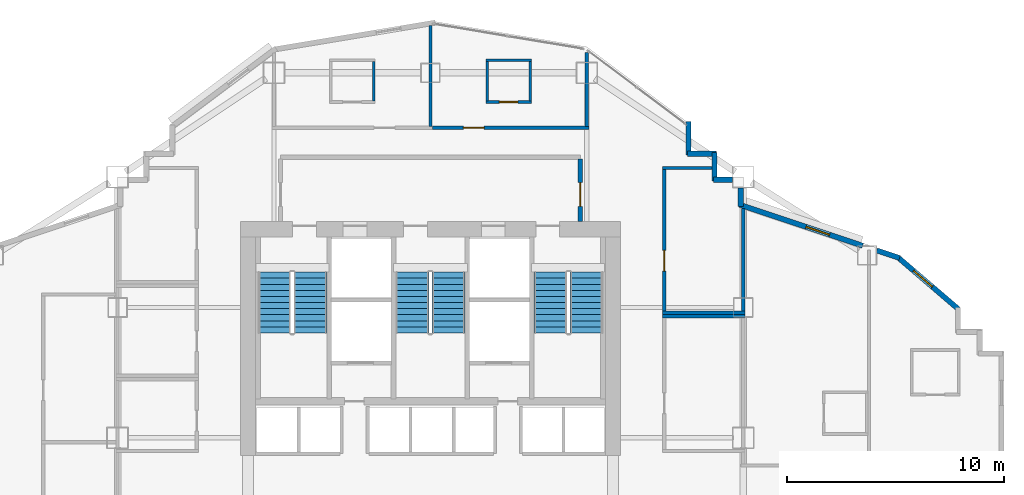
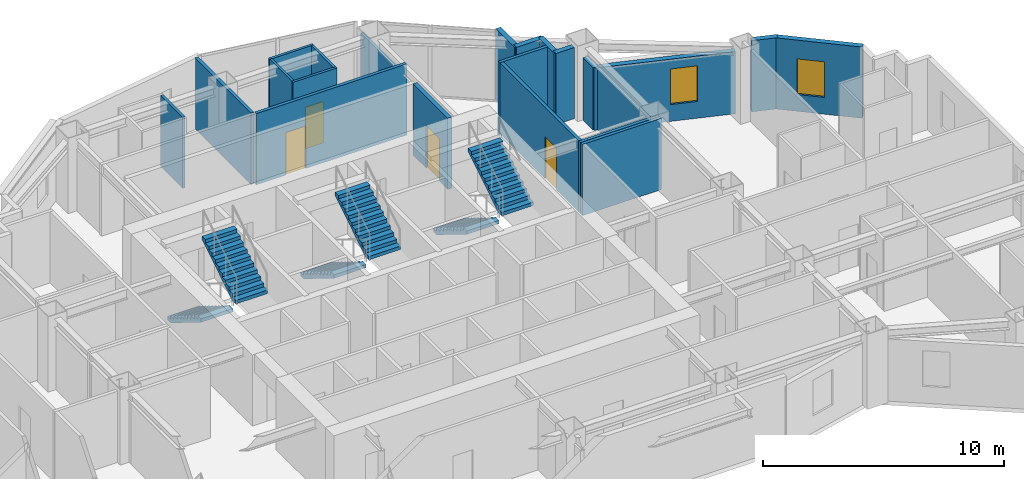
# One storey, part 10 of 13: 22 walls, 6 stair flights, 4 doors, 2 windows, 6 openings, 3 elements without a shape of their own.
"""IFC4 building model written with IfcOpenShell, lengths in metres."""

from ifc_helpers import new_model, si_unit, direction, frame, frame_2d, origin, place, context, subcontext, project, spatial, polyline, rectangle, outline, extrude, material, layer, layer_set, type_object, element, fill, aggregate, save


model = new_model("IFC4")

# Units and contexts
model_context = context("Model", 3, precision=1e-05, world=origin(), true_north=direction((0.0, 1.0)))
body_context = subcontext(model_context, "Body", "Model", "MODEL_VIEW")
ifc_project = project(units=[si_unit("LENGTHUNIT", "METRE"), si_unit("AREAUNIT", "SQUARE_METRE"), si_unit("VOLUMEUNIT", "CUBIC_METRE"), si_unit("PLANEANGLEUNIT", "RADIAN"), si_unit("MASSUNIT", "GRAM", prefix="KILO")], contexts=[model_context])

# Site, building, storey
site_placement = place(None, origin())
site = spatial("IfcSite", under=ifc_project, at=site_placement, CompositionType="ELEMENT")
building_placement = place(site_placement, origin())
building = spatial("IfcBuilding", under=site, at=building_placement, Name="Haolan Belvedere Tower", CompositionType="ELEMENT")
storey_placement = place(building_placement, frame((0.0, 0.0, 102.199951171875)))
storey = spatial("IfcBuildingStorey", under=building, at=storey_placement, Name="L25", CompositionType="ELEMENT", Elevation=102.199951171875)

# Wall, opening, window
ifc_material_1 = material(Name="Precast concrete C40/50", Category="concrete")
ifc_layer_1 = layer(ifc_material_1, 0.239990234375, Name="Precast concrete C40/50")
ifc_layer_set_1 = layer_set([ifc_layer_1], Name="Precast concrete C40/50")
wall_type_1 = type_object("IfcWallType", Name="WL-EXT-240", PredefinedType="SOLIDWALL", material=ifc_layer_set_1)
wall_1_placement = place(storey_placement, frame((62.7216796875, 39.509033203125, 0.0), z_axis=(0.0, 0.0, 1.0), x_axis=(-0.759247334792, 0.650802185469, 0.0)))
wall_1 = element("IfcWall", 1, at=wall_1_placement, inside=storey, type_object=wall_type_1, Name="L25 pale-metal exterior spandrel wall 19.1", PredefinedType="SOLIDWALL", context=body_context, shape_type="SweptSolid", body=[
    extrude(rectangle(XDim=3.71923828125, YDim=0.239990234375, at=frame_2d((1.859619140625, 0.0))), origin(), (0.0, 0.0, 1.0), 3.60009765625),
])
opening_1_placement = place(wall_1_placement, frame((1.60009765625, 0.0, 0.85009765625)))
opening_1 = element("IfcOpeningElement", 2, at=opening_1_placement, cuts=wall_1, Name="Opening W-02", PredefinedType="OPENING", context=body_context, shape_type="SweptSolid", body=[
    extrude(rectangle(XDim=1.14990234375, YDim=1.800048828125, at=frame_2d((0.574951171875, 0.89990234375))), frame((0.0, 0.1298828125, 0.0), z_axis=(0.0, -1.0, 0.0), x_axis=(1.0, 0.0, 0.0)), (0.0, 0.0, 1.0), 0.260009765625),
])
ifc_material_2 = material(Name="Anodised aluminium 6063-T6 and Low-E glass", Category="aluminium")
window_type = type_object("IfcWindowType", Name="WN-DECO-Z2", PartitioningType="SINGLE_PANEL", PredefinedType="WINDOW", material=ifc_material_2)
window_1_placement = place(opening_1_placement, origin())
window_1 = element("IfcWindow", 3, at=window_1_placement, inside=storey, type_object=window_type, Name="L25 Art Deco chevron window 1", OverallHeight=1.800048828125, OverallWidth=1.14990234375, PartitioningType="SINGLE_PANEL", PredefinedType="WINDOW", context=body_context, shape_type="SweptSolid", body=[
    extrude(rectangle(XDim=1.14990234375, YDim=1.800048828125, at=frame_2d((0.574951171875, 0.89990234375))), frame((0.0, 0.030029296875, 0.0), z_axis=(0.0, -1.0, 0.0), x_axis=(1.0, 0.0, 0.0)), (0.0, 0.0, 1.0), 0.06005859375),
])
fill(opening_1, window_1)

# Wall
wall_2_placement = place(storey_placement, frame((59.991943359375, 41.876220703125, 0.0), z_axis=(0.0, 0.0, 1.0), x_axis=(-0.948661238983, 0.316293935527, 0.0)))
element("IfcWall", 4, at=wall_2_placement, inside=storey, type_object=wall_type_1, Name="L25 pale-metal exterior spandrel wall 20.1", PredefinedType="SOLIDWALL", context=body_context, shape_type="SweptSolid", body=[
    extrude(rectangle(XDim=1.10693359375, YDim=0.239990234375, at=frame_2d((0.553466796875, 0.0))), origin(), (0.0, 0.0, 1.0), 3.60009765625),
])

# Wall, opening, window
wall_3_placement = place(storey_placement, frame((58.294677734375, 42.44189453125, 0.0), z_axis=(0.0, 0.0, 1.0), x_axis=(-0.948687385027, 0.316215504823, 0.0)))
wall_3 = element("IfcWall", 5, at=wall_3_placement, inside=storey, type_object=wall_type_1, Name="L25 pale-metal exterior spandrel wall 20.2", PredefinedType="SOLIDWALL", context=body_context, shape_type="SweptSolid", body=[
    extrude(rectangle(XDim=5.973388671875, YDim=0.239990234375, at=frame_2d((2.98681640625, 0.0))), origin(), (0.0, 0.0, 1.0), 3.14501953125),
])
opening_2_placement = place(wall_3_placement, frame((1.60009765625, 0.0, 0.85009765625)))
opening_2 = element("IfcOpeningElement", 6, at=opening_2_placement, cuts=wall_3, Name="Opening W-02", PredefinedType="OPENING", context=body_context, shape_type="SweptSolid", body=[
    extrude(rectangle(XDim=1.14990234375, YDim=1.800048828125, at=frame_2d((0.574951171875, 0.89990234375))), frame((0.0, 0.1298828125, 0.0), z_axis=(0.0, -1.0, 0.0), x_axis=(1.0, 0.0, 0.0)), (0.0, 0.0, 1.0), 0.260009765625),
])
window_2_placement = place(opening_2_placement, origin())
window_2 = element("IfcWindow", 7, at=window_2_placement, inside=storey, type_object=window_type, Name="L25 Art Deco chevron window 1", OverallHeight=1.800048828125, OverallWidth=1.14990234375, PartitioningType="SINGLE_PANEL", PredefinedType="WINDOW", context=body_context, shape_type="SweptSolid", body=[
    extrude(rectangle(XDim=1.14990234375, YDim=1.800048828125, at=frame_2d((0.574951171875, 0.89990234375))), frame((0.0, 0.030029296875, 0.0), z_axis=(0.0, -1.0, 0.0), x_axis=(1.0, 0.0, 0.0)), (0.0, 0.0, 1.0), 0.06005859375),
])
fill(opening_2, window_2)

# Walls
wall_4_placement = place(storey_placement, frame((52.679931640625, 44.258544921875, 0.0), z_axis=(0.0, 0.0, 1.0), x_axis=(0.0, 1.0, 0.0)))
element("IfcWall", 8, at=wall_4_placement, inside=storey, type_object=wall_type_1, Name="L25 pale-metal exterior spandrel wall 21.1", PredefinedType="SOLIDWALL", context=body_context, shape_type="SweptSolid", body=[
    extrude(rectangle(XDim=0.849365234375, YDim=0.239990234375, at=frame_2d((0.4248046875, 0.0))), origin(), (0.0, 0.0, 1.0), 3.14501953125),
])
wall_5_placement = place(storey_placement, frame((52.30810546875, 45.47998046875, 0.0), z_axis=(0.0, 0.0, 1.0), x_axis=(-1.0, 0.0, 0.0)))
element("IfcWall", 9, at=wall_5_placement, inside=storey, type_object=wall_type_1, Name="L25 pale-metal exterior spandrel wall 22.1", PredefinedType="SOLIDWALL", context=body_context, shape_type="SweptSolid", body=[
    extrude(rectangle(XDim=0.883056640625, YDim=0.239990234375, at=frame_2d((0.44140625, 0.0))), origin(), (0.0, 0.0, 1.0), 3.60009765625),
])
wall_6_placement = place(storey_placement, frame((51.47998046875, 45.425048828125, 0.0), z_axis=(0.0, 0.0, 1.0), x_axis=(0.0, 1.0, 0.0)))
element("IfcWall", 10, at=wall_6_placement, inside=storey, type_object=wall_type_1, Name="L25 pale-metal exterior spandrel wall 23.1", PredefinedType="SOLIDWALL", context=body_context, shape_type="SweptSolid", body=[
    extrude(rectangle(XDim=1.31005859375, YDim=0.239990234375, at=frame_2d((0.655029296875, 0.0))), origin(), (0.0, 0.0, 1.0), 3.60009765625),
])
wall_7_placement = place(storey_placement, frame((51.534912109375, 46.679931640625, 0.0), z_axis=(0.0, 0.0, 1.0), x_axis=(-1.0, 0.0, 0.0)))
element("IfcWall", 11, at=wall_7_placement, inside=storey, type_object=wall_type_1, Name="L25 pale-metal exterior spandrel wall 24.1", PredefinedType="SOLIDWALL", context=body_context, shape_type="SweptSolid", body=[
    extrude(rectangle(XDim=1.309814453125, YDim=0.239990234375, at=frame_2d((0.65478515625, 0.0))), origin(), (0.0, 0.0, 1.0), 3.60009765625),
])
wall_8_placement = place(storey_placement, frame((50.280029296875, 46.625, 0.0), z_axis=(0.0, 0.0, 1.0), x_axis=(0.0, 1.0, 0.0)))
element("IfcWall", 12, at=wall_8_placement, inside=storey, type_object=wall_type_1, Name="L25 pale-metal exterior spandrel wall 25.1", PredefinedType="SOLIDWALL", context=body_context, shape_type="SweptSolid", body=[
    extrude(rectangle(XDim=1.5400390625, YDim=0.239990234375, at=frame_2d((0.77001953125, 0.0))), origin(), (0.0, 0.0, 1.0), 3.60009765625),
])

# Wall, opening, door
ifc_material_3 = material(Name="Concrete C40/50", Category="concrete")
ifc_layer_2 = layer(ifc_material_3, 0.199951171875, Name="Concrete C40/50")
ifc_layer_set_2 = layer_set([ifc_layer_2], Name="Concrete C40/50")
wall_type_2 = type_object("IfcWallType", Name="WL-FIRE-200", PredefinedType="SOLIDWALL", material=ifc_layer_set_2)
wall_9_placement = place(storey_placement, frame((45.300048828125, 43.550048828125, 0.0), z_axis=(0.0, 0.0, 1.0), x_axis=(0.0, 1.0, 0.0)))
wall_9 = element("IfcWall", 13, at=wall_9_placement, inside=storey, type_object=wall_type_2, Name="L25 interior partition IW-L25-FFL-E", PredefinedType="SOLIDWALL", context=body_context, shape_type="SweptSolid", body=[
    extrude(rectangle(XDim=2.885009765625, YDim=0.199951171875, at=frame_2d((1.4423828125, 0.0))), origin(), (0.0, 0.0, 1.0), 3.60009765625),
])
opening_3_placement = place(wall_9_placement, frame((0.699951171875, 0.0, 0.0)))
opening_3 = element("IfcOpeningElement", 14, at=opening_3_placement, cuts=wall_9, Name="Opening FD-03", PredefinedType="OPENING", context=body_context, shape_type="SweptSolid", body=[
    extrude(rectangle(XDim=1.10009765625, YDim=2.14990234375, at=frame_2d((0.550048828125, 1.074951171875))), frame((0.0, 0.10986328125, 0.0), z_axis=(0.0, -1.0, 0.0), x_axis=(1.0, 0.0, 0.0)), (0.0, 0.0, 1.0), 0.219970703125),
])
ifc_material_4 = material(Name="Galvanised fire-rated steel", Category="steel")
door_type_1 = type_object("IfcDoorType", Name="DR-FD90-1100", OperationType="NOTDEFINED", PredefinedType="DOOR", material=ifc_material_4)
door_1_placement = place(opening_3_placement, origin())
door_1 = element("IfcDoor", 15, at=door_1_placement, inside=storey, type_object=door_type_1, Name="L25 door ID-L25-FFL-DE", OperationType="SINGLE_SWING_RIGHT", OverallHeight=2.14990234375, OverallWidth=1.10009765625, PredefinedType="DOOR", context=body_context, shape_type="SweptSolid", body=[
    extrude(rectangle(XDim=1.10009765625, YDim=2.14990234375, at=frame_2d((0.550048828125, 1.074951171875))), frame((0.0, 0.02490234375, 0.0), z_axis=(0.0, -1.0, 0.0), x_axis=(1.0, 0.0, 0.0)), (0.0, 0.0, 1.0), 0.050048828125),
])
fill(opening_3, door_1)

# Walls
ifc_material_5 = material(Name="Double gypsum acoustic stud partition", Category="masonry")
ifc_layer_3 = layer(ifc_material_5, 0.14990234375, Name="Double gypsum acoustic stud partition")
ifc_layer_set_3 = layer_set([ifc_layer_3], Name="Double gypsum acoustic stud partition")
wall_type_3 = type_object("IfcWallType", Name="WL-PART-150", PredefinedType="PARTITIONING", material=ifc_layer_set_3)
wall_10_placement = place(storey_placement, frame((49.080078125, 39.199951171875, 0.0), z_axis=(0.0, 0.0, 1.0), x_axis=(1.0, 0.0, 0.0)))
element("IfcWall", 16, at=wall_10_placement, inside=storey, type_object=wall_type_3, Name="L25 interior partition IW-L25-HSK-N", PredefinedType="PARTITIONING", context=body_context, shape_type="SweptSolid", body=[
    extrude(rectangle(XDim=3.7998046875, YDim=0.14990234375, at=frame_2d((1.89990234375, 0.0))), origin(), (0.0, 0.0, 1.0), 3.60009765625),
])
wall_11_placement = place(storey_placement, frame((49.080078125, 46.02001953125, 0.0), z_axis=(0.0, 0.0, 1.0), x_axis=(1.0, 0.0, 0.0)))
element("IfcWall", 17, at=wall_11_placement, inside=storey, type_object=wall_type_3, Name="L25 interior partition IW-L25-MTG-N", PredefinedType="PARTITIONING", context=body_context, shape_type="SweptSolid", body=[
    extrude(rectangle(XDim=2.294921875, YDim=0.14990234375, at=frame_2d((1.1474609375, 0.0))), origin(), (0.0, 0.0, 1.0), 3.60009765625),
])
wall_12_placement = place(storey_placement, frame((49.080078125, 39.360107421875, 0.0), z_axis=(0.0, 0.0, 1.0), x_axis=(1.0, 0.0, 0.0)))
element("IfcWall", 18, at=wall_12_placement, inside=storey, type_object=wall_type_3, Name="L25 interior partition IW-L25-MTG-S", PredefinedType="PARTITIONING", context=body_context, shape_type="SweptSolid", body=[
    extrude(rectangle(XDim=3.7998046875, YDim=0.14990234375, at=frame_2d((1.89990234375, 0.0))), origin(), (0.0, 0.0, 1.0), 3.60009765625),
])

# Wall, opening, door
wall_13_placement = place(storey_placement, frame((49.159912109375, 39.419921875, 0.0), z_axis=(0.0, 0.0, 1.0), x_axis=(0.0, 1.0, 0.0)))
wall_13 = element("IfcWall", 19, at=wall_13_placement, inside=storey, type_object=wall_type_3, Name="L25 interior partition IW-L25-MTG-W", PredefinedType="PARTITIONING", context=body_context, shape_type="SweptSolid", body=[
    extrude(rectangle(XDim=6.5400390625, YDim=0.14990234375, at=frame_2d((3.27001953125, 0.0))), origin(), (0.0, 0.0, 1.0), 3.60009765625),
])
opening_4_placement = place(wall_13_placement, frame((1.860107421875, 0.0, 0.0)))
opening_4 = element("IfcOpeningElement", 20, at=opening_4_placement, cuts=wall_13, Name="Opening ID-03", PredefinedType="OPENING", context=body_context, shape_type="SweptSolid", body=[
    extrude(rectangle(XDim=0.949951171875, YDim=2.1201171875, at=frame_2d((0.47509765625, 1.06005859375))), frame((0.0, 0.0849609375, 0.0), z_axis=(0.0, -1.0, 0.0), x_axis=(1.0, 0.0, 0.0)), (0.0, 0.0, 1.0), 0.169921875),
])
ifc_material_6 = material(Name="Painted solid-core timber", Category="wood")
door_type_2 = type_object("IfcDoorType", Name="DR-INT-950", OperationType="NOTDEFINED", PredefinedType="DOOR", material=ifc_material_6)
door_2_placement = place(opening_4_placement, origin())
door_2 = element("IfcDoor", 21, at=door_2_placement, inside=storey, type_object=door_type_2, Name="L25 door ID-L25-MTG", OperationType="SINGLE_SWING_LEFT", OverallHeight=2.1201171875, OverallWidth=0.949951171875, PredefinedType="DOOR", context=body_context, shape_type="SweptSolid", body=[
    extrude(rectangle(XDim=0.949951171875, YDim=2.1201171875, at=frame_2d((0.47509765625, 1.06005859375))), frame((0.0, 0.02490234375, 0.0), z_axis=(0.0, -1.0, 0.0), x_axis=(1.0, 0.0, 0.0)), (0.0, 0.0, 1.0), 0.050048828125),
])
fill(opening_4, door_2)

# Walls
wall_14_placement = place(storey_placement, frame((52.800048828125, 39.419921875, 0.0), z_axis=(0.0, 0.0, 1.0), x_axis=(0.0, 1.0, 0.0)))
element("IfcWall", 22, at=wall_14_placement, inside=storey, type_object=wall_type_3, Name="L25 interior partition IW-L25-MTG-E", PredefinedType="PARTITIONING", context=body_context, shape_type="SweptSolid", body=[
    extrude(rectangle(XDim=4.742919921875, YDim=0.14990234375, at=frame_2d((2.37158203125, 0.0))), origin(), (0.0, 0.0, 1.0), 3.14501953125),
])
wall_15_placement = place(storey_placement, frame((38.39990234375, 47.93994140625, 0.0), z_axis=(0.0, 0.0, 1.0), x_axis=(0.0, 1.0, 0.0)))
element("IfcWall", 23, at=wall_15_placement, inside=storey, type_object=wall_type_3, Name="L25 interior partition IW-L25-KN2-E", PredefinedType="PARTITIONING", context=body_context, shape_type="SweptSolid", body=[
    extrude(rectangle(XDim=4.632080078125, YDim=0.14990234375, at=frame_2d((2.31591796875, 0.0))), origin(), (0.0, 0.0, 1.0), 3.60009765625),
])

# Wall, opening, door
wall_16_placement = place(storey_placement, frame((38.501953125, 47.8798828125, 0.0), z_axis=(0.0, 0.0, 1.0), x_axis=(1.0, 0.0, 0.0)))
wall_16 = element("IfcWall", 24, at=wall_16_placement, inside=storey, type_object=wall_type_3, Name="L25 interior partition IW-L25-KN3-S", PredefinedType="PARTITIONING", context=body_context, shape_type="SweptSolid", body=[
    extrude(rectangle(XDim=7.197998046875, YDim=0.14990234375, at=frame_2d((3.59912109375, 0.0))), origin(), (0.0, 0.0, 1.0), 3.60009765625),
])
opening_5_placement = place(wall_16_placement, frame((1.41748046875, 0.0, 0.0)))
opening_5 = element("IfcOpeningElement", 25, at=opening_5_placement, cuts=wall_16, Name="Opening ID-02", PredefinedType="OPENING", context=body_context, shape_type="SweptSolid", body=[
    extrude(rectangle(XDim=0.949951171875, YDim=2.14990234375, at=frame_2d((0.47509765625, 1.074951171875))), frame((0.0, 0.0849609375, 0.0), z_axis=(0.0, -1.0, 0.0), x_axis=(1.0, 0.0, 0.0)), (0.0, 0.0, 1.0), 0.169921875),
])
ifc_material_7 = material(Name="Acoustic oak veneer fire-rated timber", Category="wood")
door_type_3 = type_object("IfcDoorType", Name="DR-GUEST-950", OperationType="NOTDEFINED", PredefinedType="DOOR", material=ifc_material_7)
door_3_placement = place(opening_5_placement, origin())
door_3 = element("IfcDoor", 26, at=door_3_placement, inside=storey, type_object=door_type_3, Name="L25 door ID-L25-KN3-ENT", OperationType="SINGLE_SWING_LEFT", OverallHeight=2.14990234375, OverallWidth=0.949951171875, PredefinedType="DOOR", context=body_context, shape_type="SweptSolid", body=[
    extrude(rectangle(XDim=0.949951171875, YDim=2.14990234375, at=frame_2d((0.47509765625, 1.074951171875))), frame((0.0, 0.02490234375, 0.0), z_axis=(0.0, -1.0, 0.0), x_axis=(1.0, 0.0, 0.0)), (0.0, 0.0, 1.0), 0.050048828125),
])
fill(opening_5, door_3)

# Walls
wall_17_placement = place(storey_placement, frame((45.60009765625, 47.93994140625, 0.0), z_axis=(0.0, 0.0, 1.0), x_axis=(0.0, 1.0, 0.0)))
element("IfcWall", 27, at=wall_17_placement, inside=storey, type_object=wall_type_3, Name="L25 interior partition IW-L25-KN3-E", PredefinedType="PARTITIONING", context=body_context, shape_type="SweptSolid", body=[
    extrude(rectangle(XDim=3.39501953125, YDim=0.14990234375, at=frame_2d((1.697509765625, 0.0))), origin(), (0.0, 0.0, 1.0), 3.0849609375),
])
ifc_material_8 = material(Name="Moisture-resistant gypsum tile partition", Category="masonry")
ifc_layer_4 = layer(ifc_material_8, 0.1201171875, Name="Moisture-resistant gypsum tile partition")
ifc_layer_set_4 = layer_set([ifc_layer_4], Name="Moisture-resistant gypsum tile partition")
wall_type_4 = type_object("IfcWallType", Name="WL-WET-120", PredefinedType="PARTITIONING", material=ifc_layer_set_4)
wall_18_placement = place(storey_placement, frame((35.7900390625, 49.10498046875, 0.0), z_axis=(0.0, 0.0, 1.0), x_axis=(0.0, 1.0, 0.0)))
element("IfcWall", 28, at=wall_18_placement, inside=storey, type_object=wall_type_4, Name="L25 interior partition IW-L25-KN2-BE", PredefinedType="PARTITIONING", context=body_context, shape_type="SweptSolid", body=[
    extrude(rectangle(XDim=1.830078125, YDim=0.1201171875, at=frame_2d((0.9150390625, 0.0))), origin(), (0.0, 0.0, 1.0), 3.60009765625),
])
wall_19_placement = place(storey_placement, frame((40.949951171875, 50.97998046875, 0.0), z_axis=(0.0, 0.0, 1.0), x_axis=(1.0, 0.0, 0.0)))
element("IfcWall", 29, at=wall_19_placement, inside=storey, type_object=wall_type_4, Name="L25 interior partition IW-L25-KN3-BN", PredefinedType="PARTITIONING", context=body_context, shape_type="SweptSolid", body=[
    extrude(rectangle(XDim=2.10009765625, YDim=0.1201171875, at=frame_2d((1.050048828125, 0.0))), origin(), (0.0, 0.0, 1.0), 3.60009765625),
])

# Wall, opening, door
wall_20_placement = place(storey_placement, frame((40.949951171875, 49.06005859375, 0.0), z_axis=(0.0, 0.0, 1.0), x_axis=(1.0, 0.0, 0.0)))
wall_20 = element("IfcWall", 30, at=wall_20_placement, inside=storey, type_object=wall_type_4, Name="L25 interior partition IW-L25-KN3-BS", PredefinedType="PARTITIONING", context=body_context, shape_type="SweptSolid", body=[
    extrude(rectangle(XDim=2.10009765625, YDim=0.1201171875, at=frame_2d((1.050048828125, 0.0))), origin(), (0.0, 0.0, 1.0), 3.60009765625),
])
opening_6_placement = place(wall_20_placement, frame((0.625, 0.0, 0.0)))
opening_6 = element("IfcOpeningElement", 31, at=opening_6_placement, cuts=wall_20, Name="Opening ID-05", PredefinedType="OPENING", context=body_context, shape_type="SweptSolid", body=[
    extrude(rectangle(XDim=0.85009765625, YDim=2.10009765625, at=frame_2d((0.425048828125, 1.050048828125))), frame((0.0, 0.070068359375, 0.0), z_axis=(0.0, -1.0, 0.0), x_axis=(1.0, 0.0, 0.0)), (0.0, 0.0, 1.0), 0.14013671875),
])
ifc_material_9 = material(Name="Moisture-resistant lacquered timber", Category="wood")
door_type_4 = type_object("IfcDoorType", Name="DR-BATH-850", OperationType="NOTDEFINED", PredefinedType="DOOR", material=ifc_material_9)
door_4_placement = place(opening_6_placement, origin())
door_4 = element("IfcDoor", 32, at=door_4_placement, inside=storey, type_object=door_type_4, Name="L25 door ID-L25-KN3-BATH", OperationType="SINGLE_SWING_RIGHT", OverallHeight=2.10009765625, OverallWidth=0.85009765625, PredefinedType="DOOR", context=body_context, shape_type="SweptSolid", body=[
    extrude(rectangle(XDim=0.85009765625, YDim=2.10009765625, at=frame_2d((0.425048828125, 1.050048828125))), frame((0.0, 0.02490234375, 0.0), z_axis=(0.0, -1.0, 0.0), x_axis=(1.0, 0.0, 0.0)), (0.0, 0.0, 1.0), 0.050048828125),
])
fill(opening_6, door_4)

# Walls
for number, where, z_axis, x_axis, name in (
    (33, (41.010009765625, 49.10498046875, 0.0), (0.0, 0.0, 1.0), (0.0, 1.0, 0.0), "L25 interior partition IW-L25-KN3-BW"),
    (34, (42.989990234375, 49.10498046875, 0.0), (0.0, 0.0, 1.0), (0.0, 1.0, 0.0), "L25 interior partition IW-L25-KN3-BE"),
):
    element("IfcWall", number, at=place(storey_placement, frame(where, z_axis=z_axis, x_axis=x_axis)), inside=storey, type_object=wall_type_4, Name=name, PredefinedType="PARTITIONING", context=body_context, shape_type="SweptSolid", body=[
        extrude(rectangle(XDim=1.830078125, YDim=0.1201171875, at=frame_2d((0.9150390625, 0.0))), origin(), (0.0, 0.0, 1.0), 3.60009765625),
    ])

# Stair, stair flights
stair_type = type_object("IfcStairType", Name="STR-DL-22R-173", PredefinedType="HALF_TURN_STAIR", material=ifc_material_3)
stair_1_placement = place(storey_placement, origin())
stair_1 = element("IfcStair", 35, at=stair_1_placement, inside=storey, type_object=stair_type, Name="L25 Smokeproof Core Exit Stair ST1", PredefinedType="HALF_TURN_STAIR")
stair_flight_type = type_object("IfcStairFlightType", Name="SFL-DL-11R-173", PredefinedType="STRAIGHT", material=ifc_material_3)
stair_flight_1_placement = place(storey_placement, frame((31.2099609375, 41.22998046875, 0.0), z_axis=(0.0, 0.0, 1.0), x_axis=(0.0, -1.0, 0.0)))
stair_flight_1 = element("IfcStairFlight", 36, at=stair_flight_1_placement, type_object=stair_flight_type, Name="ST1 flight 1", NumberOfRisers=11, NumberOfTreads=10, PredefinedType="STRAIGHT", RiserHeight=0.172727273, TreadLength=0.28, context=body_context, shape_type="SweptSolid", body=[
    extrude(outline(polyline([(0.0, 0.0), (0.0, 0.172607421875), (0.280029296875, 0.172607421875), (0.280029296875, 0.345458984375), (0.56005859375, 0.345458984375), (0.56005859375, 0.51806640625), (0.840087890625, 0.51806640625), (0.840087890625, 0.69091796875), (1.1201171875, 0.69091796875), (1.1201171875, 0.863525390625), (1.39990234375, 0.863525390625), (1.39990234375, 1.036376953125), (1.679931640625, 1.036376953125), (1.679931640625, 1.208984375), (1.9599609375, 1.208984375), (1.9599609375, 1.3818359375), (2.239990234375, 1.3818359375), (2.239990234375, 1.554443359375), (2.52001953125, 1.554443359375), (2.52001953125, 1.727294921875), (2.800048828125, 1.727294921875), (2.800048828125, 1.89990234375), (2.800048828125, 1.551025390625), (0.285400390625, 0.0), (0.0, 0.0)])), frame((0.0, 0.760009765625, 0.0), z_axis=(0.0, -1.0, 0.0), x_axis=(1.0, 0.0, 0.0)), (0.0, 0.0, 1.0), 1.52001953125),
])
stair_flight_2_placement = place(storey_placement, frame((32.8701171875, 38.429931640625, 1.900146484375), z_axis=(0.0, 0.0, 1.0), x_axis=(0.0, 1.0, 0.0)))
stair_flight_2 = element("IfcStairFlight", 37, at=stair_flight_2_placement, type_object=stair_flight_type, Name="ST1 flight 2", NumberOfRisers=11, NumberOfTreads=10, PredefinedType="STRAIGHT", RiserHeight=0.172727273, TreadLength=0.28, context=body_context, shape_type="SweptSolid", body=[
    extrude(outline(polyline([(0.0, 0.0), (0.0, 0.172607421875), (0.280029296875, 0.172607421875), (0.280029296875, 0.345458984375), (0.56005859375, 0.345458984375), (0.56005859375, 0.51806640625), (0.840087890625, 0.51806640625), (0.840087890625, 0.69091796875), (1.1201171875, 0.69091796875), (1.1201171875, 0.863525390625), (1.39990234375, 0.863525390625), (1.39990234375, 1.036376953125), (1.679931640625, 1.036376953125), (1.679931640625, 1.208984375), (1.9599609375, 1.208984375), (1.9599609375, 1.3818359375), (2.239990234375, 1.3818359375), (2.239990234375, 1.554443359375), (2.52001953125, 1.554443359375), (2.52001953125, 1.727294921875), (2.800048828125, 1.727294921875), (2.800048828125, 1.89990234375), (2.800048828125, 1.551025390625), (0.285400390625, 0.0), (0.0, 0.0)])), frame((0.0, 0.760009765625, 0.0), z_axis=(0.0, -1.0, 0.0), x_axis=(1.0, 0.0, 0.0)), (0.0, 0.0, 1.0), 1.52001953125),
])
aggregate(stair_1, [stair_flight_1, stair_flight_2])

stair_2_placement = place(storey_placement, origin())
stair_2 = element("IfcStair", 38, at=stair_2_placement, inside=storey, type_object=stair_type, Name="L25 Smokeproof Core Exit Stair ST3", PredefinedType="HALF_TURN_STAIR")
stair_flight_3_placement = place(storey_placement, frame((37.570068359375, 41.22998046875, 0.0), z_axis=(0.0, 0.0, 1.0), x_axis=(0.0, -1.0, 0.0)))
stair_flight_3 = element("IfcStairFlight", 39, at=stair_flight_3_placement, type_object=stair_flight_type, Name="ST3 flight 1", NumberOfRisers=11, NumberOfTreads=10, PredefinedType="STRAIGHT", RiserHeight=0.172727273, TreadLength=0.28, context=body_context, shape_type="SweptSolid", body=[
    extrude(outline(polyline([(0.0, 0.0), (0.0, 0.172607421875), (0.280029296875, 0.172607421875), (0.280029296875, 0.345458984375), (0.56005859375, 0.345458984375), (0.56005859375, 0.51806640625), (0.840087890625, 0.51806640625), (0.840087890625, 0.69091796875), (1.1201171875, 0.69091796875), (1.1201171875, 0.863525390625), (1.39990234375, 0.863525390625), (1.39990234375, 1.036376953125), (1.679931640625, 1.036376953125), (1.679931640625, 1.208984375), (1.9599609375, 1.208984375), (1.9599609375, 1.3818359375), (2.239990234375, 1.3818359375), (2.239990234375, 1.554443359375), (2.52001953125, 1.554443359375), (2.52001953125, 1.727294921875), (2.800048828125, 1.727294921875), (2.800048828125, 1.89990234375), (2.800048828125, 1.551025390625), (0.285400390625, 0.0), (0.0, 0.0)])), frame((0.0, 0.760009765625, 0.0), z_axis=(0.0, -1.0, 0.0), x_axis=(1.0, 0.0, 0.0)), (0.0, 0.0, 1.0), 1.52001953125),
])
stair_flight_4_placement = place(storey_placement, frame((39.22998046875, 38.429931640625, 1.900146484375), z_axis=(0.0, 0.0, 1.0), x_axis=(0.0, 1.0, 0.0)))
stair_flight_4 = element("IfcStairFlight", 40, at=stair_flight_4_placement, type_object=stair_flight_type, Name="ST3 flight 2", NumberOfRisers=11, NumberOfTreads=10, PredefinedType="STRAIGHT", RiserHeight=0.172727273, TreadLength=0.28, context=body_context, shape_type="SweptSolid", body=[
    extrude(outline(polyline([(0.0, 0.0), (0.0, 0.172607421875), (0.280029296875, 0.172607421875), (0.280029296875, 0.345458984375), (0.56005859375, 0.345458984375), (0.56005859375, 0.51806640625), (0.840087890625, 0.51806640625), (0.840087890625, 0.69091796875), (1.1201171875, 0.69091796875), (1.1201171875, 0.863525390625), (1.39990234375, 0.863525390625), (1.39990234375, 1.036376953125), (1.679931640625, 1.036376953125), (1.679931640625, 1.208984375), (1.9599609375, 1.208984375), (1.9599609375, 1.3818359375), (2.239990234375, 1.3818359375), (2.239990234375, 1.554443359375), (2.52001953125, 1.554443359375), (2.52001953125, 1.727294921875), (2.800048828125, 1.727294921875), (2.800048828125, 1.89990234375), (2.800048828125, 1.551025390625), (0.285400390625, 0.0), (0.0, 0.0)])), frame((0.0, 0.760009765625, 0.0), z_axis=(0.0, -1.0, 0.0), x_axis=(1.0, 0.0, 0.0)), (0.0, 0.0, 1.0), 1.52001953125),
])
aggregate(stair_2, [stair_flight_3, stair_flight_4])

stair_3_placement = place(storey_placement, origin())
stair_3 = element("IfcStair", 41, at=stair_3_placement, inside=storey, type_object=stair_type, Name="L25 Smokeproof Core Exit Stair ST2", PredefinedType="HALF_TURN_STAIR")
stair_flight_5_placement = place(storey_placement, frame((43.929931640625, 41.22998046875, 0.0), z_axis=(0.0, 0.0, 1.0), x_axis=(0.0, -1.0, 0.0)))
stair_flight_5 = element("IfcStairFlight", 42, at=stair_flight_5_placement, type_object=stair_flight_type, Name="ST2 flight 1", NumberOfRisers=11, NumberOfTreads=10, PredefinedType="STRAIGHT", RiserHeight=0.172727273, TreadLength=0.28, context=body_context, shape_type="SweptSolid", body=[
    extrude(outline(polyline([(0.0, 0.0), (0.0, 0.172607421875), (0.280029296875, 0.172607421875), (0.280029296875, 0.345458984375), (0.56005859375, 0.345458984375), (0.56005859375, 0.51806640625), (0.840087890625, 0.51806640625), (0.840087890625, 0.69091796875), (1.1201171875, 0.69091796875), (1.1201171875, 0.863525390625), (1.39990234375, 0.863525390625), (1.39990234375, 1.036376953125), (1.679931640625, 1.036376953125), (1.679931640625, 1.208984375), (1.9599609375, 1.208984375), (1.9599609375, 1.3818359375), (2.239990234375, 1.3818359375), (2.239990234375, 1.554443359375), (2.52001953125, 1.554443359375), (2.52001953125, 1.727294921875), (2.800048828125, 1.727294921875), (2.800048828125, 1.89990234375), (2.800048828125, 1.551025390625), (0.285400390625, 0.0), (0.0, 0.0)])), frame((0.0, 0.760009765625, 0.0), z_axis=(0.0, -1.0, 0.0), x_axis=(1.0, 0.0, 0.0)), (0.0, 0.0, 1.0), 1.52001953125),
])
stair_flight_6_placement = place(storey_placement, frame((45.590087890625, 38.429931640625, 1.900146484375), z_axis=(0.0, 0.0, 1.0), x_axis=(0.0, 1.0, 0.0)))
stair_flight_6 = element("IfcStairFlight", 43, at=stair_flight_6_placement, type_object=stair_flight_type, Name="ST2 flight 2", NumberOfRisers=11, NumberOfTreads=10, PredefinedType="STRAIGHT", RiserHeight=0.172727273, TreadLength=0.28, context=body_context, shape_type="SweptSolid", body=[
    extrude(outline(polyline([(0.0, 0.0), (0.0, 0.172607421875), (0.280029296875, 0.172607421875), (0.280029296875, 0.345458984375), (0.56005859375, 0.345458984375), (0.56005859375, 0.51806640625), (0.840087890625, 0.51806640625), (0.840087890625, 0.69091796875), (1.1201171875, 0.69091796875), (1.1201171875, 0.863525390625), (1.39990234375, 0.863525390625), (1.39990234375, 1.036376953125), (1.679931640625, 1.036376953125), (1.679931640625, 1.208984375), (1.9599609375, 1.208984375), (1.9599609375, 1.3818359375), (2.239990234375, 1.3818359375), (2.239990234375, 1.554443359375), (2.52001953125, 1.554443359375), (2.52001953125, 1.727294921875), (2.800048828125, 1.727294921875), (2.800048828125, 1.89990234375), (2.800048828125, 1.551025390625), (0.285400390625, 0.0), (0.0, 0.0)])), frame((0.0, 0.760009765625, 0.0), z_axis=(0.0, -1.0, 0.0), x_axis=(1.0, 0.0, 0.0)), (0.0, 0.0, 1.0), 1.52001953125),
])
aggregate(stair_3, [stair_flight_5, stair_flight_6])

save(model, "model.ifc")
